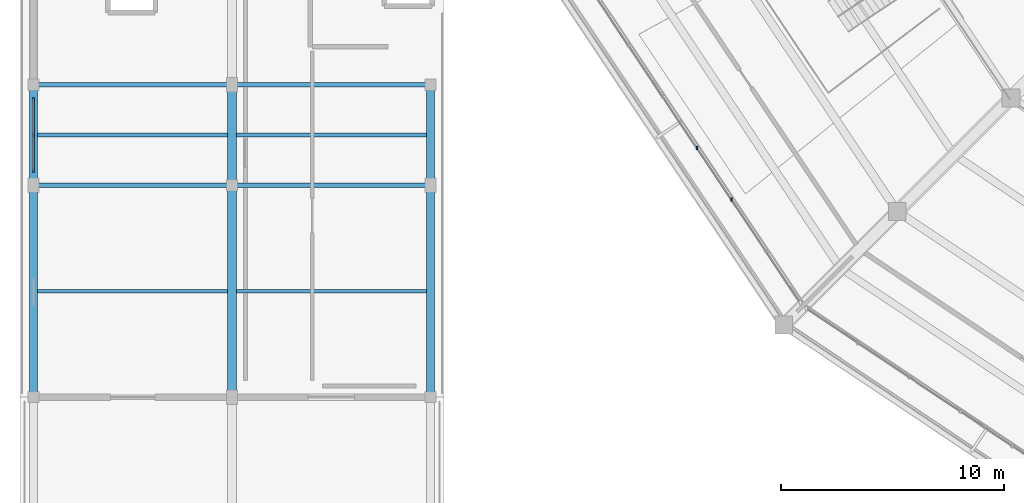
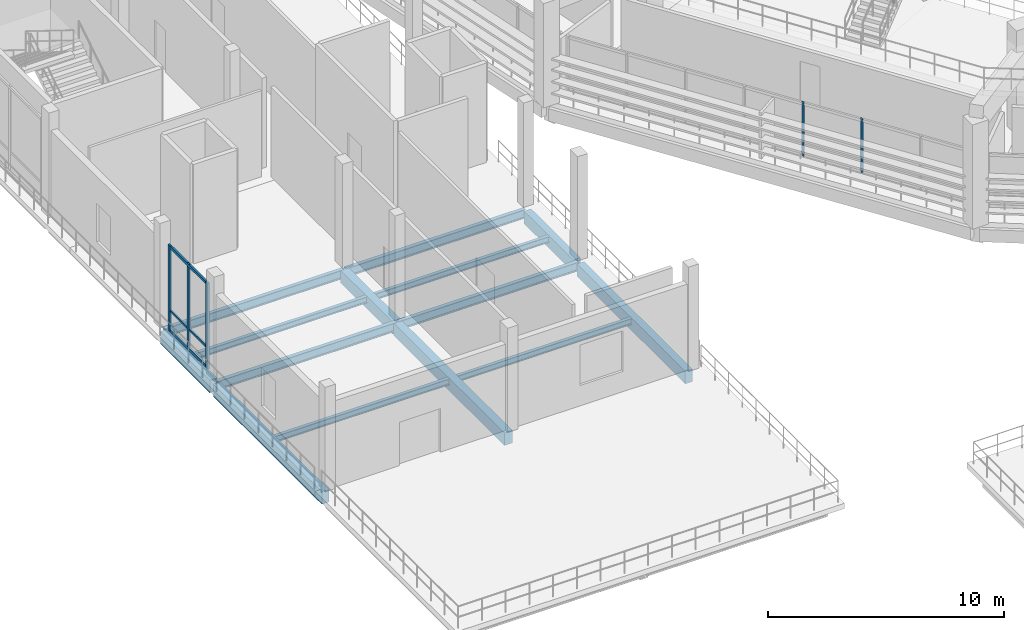
# One storey, part 7 of 96: 14 beams, 8 members, 2 elements without a shape of their own.
"""IFC4 building model written with IfcOpenShell, lengths in metres."""

from ifc_helpers import new_model, si_unit, direction, frame, origin, origin_2d, place, context, subcontext, project, spatial, rectangle, i_section, extrude, material, material_profile, profile_set, type_object, element, aggregate, save


model = new_model("IFC4")

# Units and contexts
model_context = context("Model", 3, precision=1e-05, world=origin(), true_north=direction((0.0, 1.0)))
body_context = subcontext(model_context, "Body", "Model", "MODEL_VIEW")
ifc_project = project(units=[si_unit("LENGTHUNIT", "METRE"), si_unit("AREAUNIT", "SQUARE_METRE"), si_unit("VOLUMEUNIT", "CUBIC_METRE"), si_unit("PLANEANGLEUNIT", "RADIAN"), si_unit("MASSUNIT", "GRAM", prefix="KILO")], contexts=[model_context])

# Site, building, storey
site_placement = place(None, origin())
site = spatial("IfcSite", under=ifc_project, at=site_placement, CompositionType="ELEMENT")
building_placement = place(site_placement, origin())
building = spatial("IfcBuilding", under=site, at=building_placement, Name="Candeia Ridge Stadium", CompositionType="ELEMENT")
storey_placement = place(building_placement, frame((0.0, 0.0, 21.60009765625)))
storey = spatial("IfcBuildingStorey", under=building, at=storey_placement, Name="L04", CompositionType="ELEMENT", Elevation=21.60009765625)

# Curtain wall, members
ifc_material_1 = material(Name="Aluminium Anodized Warm Bronze", Category="aluminium")
curtain_wall_type_1 = type_object("IfcCurtainWallType", Name="West Pavilion Hospitality Curtain Wall", PredefinedType="NOTDEFINED", material=ifc_material_1)
curtain_wall_1_placement = place(storey_placement, origin())
curtain_wall_1 = element("IfcCurtainWall", 1, at=curtain_wall_1_placement, inside=storey, type_object=curtain_wall_type_1, Name="Unitised curtain wall CW-WNG-L04-093", PredefinedType="NOTDEFINED")
ifc_material_profile_1 = material_profile(ifc_material_1, rectangle(XDim=0.090087890625, YDim=0.179931640625, at=origin_2d()), Name="CWM-90x180", Category="aluminium")
ifc_profile_set_1 = profile_set([ifc_material_profile_1], Name="Aluminium Anodized Warm Bronze")
member_type_1 = type_object("IfcMemberType", Name="Curtain Wall Primary Mullion 90x180", PredefinedType="MULLION", material=ifc_profile_set_1)
member_1_placement = place(storey_placement, frame((0.60009765625, 41.159912109375, 0.0), z_axis=(0.0, 0.0, 1.0), x_axis=(1.0, 0.0, 0.0)))
member_1 = element("IfcMember", 2, at=member_1_placement, type_object=member_type_1, Name="Curtain wall mullion CW-WNG-L04-093-M0", PredefinedType="MULLION", context=body_context, shape_type="SweptSolid", body=[
    extrude(rectangle(XDim=0.090087890625, YDim=0.179931640625, at=origin_2d()), origin(), (0.0, 0.0, 1.0), 4.46484375),
])
member_2_placement = place(storey_placement, frame((0.60009765625, 44.340087890625, 0.0), z_axis=(0.0, 0.0, 1.0), x_axis=(1.0, 0.0, 0.0)))
member_2 = element("IfcMember", 3, at=member_2_placement, type_object=member_type_1, Name="Curtain wall mullion CW-WNG-L04-093-M2", PredefinedType="MULLION", context=body_context, shape_type="SweptSolid", body=[
    extrude(rectangle(XDim=0.090087890625, YDim=0.179931640625, at=origin_2d()), origin(), (0.0, 0.0, 1.0), 4.46484375),
])

curtain_wall_type_2 = type_object("IfcCurtainWallType", Name="Concourse Recessed Unitised Curtain Wall", PredefinedType="NOTDEFINED", material=ifc_material_1)
curtain_wall_2_placement = place(storey_placement, origin())
curtain_wall_2 = element("IfcCurtainWall", 4, at=curtain_wall_2_placement, inside=storey, type_object=curtain_wall_type_2, Name="Unitised curtain wall CW-BWL-L04-15", PredefinedType="NOTDEFINED")
ifc_material_profile_2 = material_profile(ifc_material_1, rectangle(XDim=0.074951171875, YDim=0.14990234375, at=origin_2d()), Name="CWM-75x150", Category="aluminium")
ifc_profile_set_2 = profile_set([ifc_material_profile_2], Name="Aluminium Anodized Warm Bronze")
member_type_2 = type_object("IfcMemberType", Name="Curtain Wall Secondary Mullion 75x150", PredefinedType="MULLION", material=ifc_profile_set_2)
member_3_placement = place(storey_placement, frame((30.34521484375, 42.16357421875, 0.0), z_axis=(0.0, 0.0, 1.0), x_axis=(1.0, 0.0, 0.0)))
member_3 = element("IfcMember", 5, at=member_3_placement, type_object=member_type_2, Name="Curtain wall mullion CW-BWL-L04-15-M4", PredefinedType="MULLION", context=body_context, shape_type="SweptSolid", body=[
    extrude(rectangle(XDim=0.074951171875, YDim=0.14990234375, at=origin_2d()), origin(), (0.0, 0.0, 1.0), 2.772216796875),
])
member_4_placement = place(storey_placement, frame((31.889892578125, 39.851806640625, 0.0), z_axis=(0.0, 0.0, 1.0), x_axis=(1.0, 0.0, 0.0)))
member_4 = element("IfcMember", 6, at=member_4_placement, type_object=member_type_2, Name="Curtain wall mullion CW-BWL-L04-15-M5", PredefinedType="MULLION", context=body_context, shape_type="SweptSolid", body=[
    extrude(rectangle(XDim=0.074951171875, YDim=0.14990234375, at=origin_2d()), origin(), (0.0, 0.0, 1.0), 2.772216796875),
])
aggregate(curtain_wall_2, [member_3, member_4])

# Member
member_5_placement = place(storey_placement, frame((0.60009765625, 42.75, 0.0), z_axis=(0.0, 0.0, 1.0), x_axis=(1.0, 0.0, 0.0)))
member_5 = element("IfcMember", 7, at=member_5_placement, type_object=member_type_2, Name="Curtain wall mullion CW-WNG-L04-093-M1", PredefinedType="MULLION", context=body_context, shape_type="SweptSolid", body=[
    extrude(rectangle(XDim=0.074951171875, YDim=0.14990234375, at=origin_2d()), origin(), (0.0, 0.0, 1.0), 4.46484375),
])

ifc_material_profile_3 = material_profile(ifc_material_1, rectangle(XDim=0.074951171875, YDim=0.110107421875, at=origin_2d()), Name="CWT-75x110", Category="aluminium")
ifc_profile_set_3 = profile_set([ifc_material_profile_3], Name="Aluminium Anodized Warm Bronze")
member_type_3 = type_object("IfcMemberType", Name="Curtain Wall Secondary Transom 75x110", PredefinedType="USERDEFINED", material=ifc_profile_set_3)
member_6_placement = place(storey_placement, frame((0.60009765625, 41.159912109375, 1.099853515625), z_axis=(0.0, 1.0, 0.0), x_axis=(-1.0, 0.0, 0.0)))
member_6 = element("IfcMember", 8, at=member_6_placement, type_object=member_type_3, Name="Curtain wall transom CW-WNG-L04-093-T1", ObjectType="TRANSOM", PredefinedType="USERDEFINED", context=body_context, shape_type="SweptSolid", body=[
    extrude(rectangle(XDim=0.074951171875, YDim=0.110107421875, at=origin_2d()), origin(), (0.0, 0.0, 1.0), 3.18017578125),
])

ifc_material_profile_4 = material_profile(ifc_material_1, rectangle(XDim=0.090087890625, YDim=0.139892578125, at=origin_2d()), Name="CWT-90x140", Category="aluminium")
ifc_profile_set_4 = profile_set([ifc_material_profile_4], Name="Aluminium Anodized Warm Bronze")
member_type_4 = type_object("IfcMemberType", Name="Curtain Wall Transom 90x140", PredefinedType="USERDEFINED", material=ifc_profile_set_4)
member_7_placement = place(storey_placement, frame((0.60009765625, 41.159912109375, 0.06982421875), z_axis=(0.0, 1.0, 0.0), x_axis=(-1.0, 0.0, 0.0)))
member_7 = element("IfcMember", 9, at=member_7_placement, type_object=member_type_4, Name="Curtain wall transom CW-WNG-L04-093-T0", ObjectType="TRANSOM", PredefinedType="USERDEFINED", context=body_context, shape_type="SweptSolid", body=[
    extrude(rectangle(XDim=0.090087890625, YDim=0.139892578125, at=origin_2d()), origin(), (0.0, 0.0, 1.0), 3.18017578125),
])

member_8_placement = place(storey_placement, frame((0.60009765625, 41.159912109375, 4.39501953125), z_axis=(0.0, 1.0, 0.0), x_axis=(-1.0, 0.0, 0.0)))
member_8 = element("IfcMember", 10, at=member_8_placement, type_object=member_type_4, Name="Curtain wall transom CW-WNG-L04-093-T2", ObjectType="TRANSOM", PredefinedType="USERDEFINED", context=body_context, shape_type="SweptSolid", body=[
    extrude(rectangle(XDim=0.090087890625, YDim=0.139892578125, at=origin_2d()), origin(), (0.0, 0.0, 1.0), 3.18017578125),
])

aggregate(curtain_wall_1, [member_1, member_5, member_2, member_7, member_6, member_8])

# Beams
ifc_material_2 = material(Name="Steel ASTM A572 Grade 50", Category="steel")
ifc_material_profile_5 = material_profile(ifc_material_2, i_section(OverallWidth=0.1669921875, OverallDepth=0.31689453125, WebThickness=0.007568359375, FlangeThickness=0.01318359375, FilletRadius=0.011962890625, at=origin_2d()), Name="W310x52", Category="steel")
ifc_profile_set_5 = profile_set([ifc_material_profile_5], Name="Steel ASTM A572 Grade 50")
beam_type_1 = type_object("IfcBeamType", Name="Pavilion Secondary Joist W310x52", PredefinedType="JOIST", material=ifc_profile_set_5)
for number, where, z_axis, x_axis, name in (
    (11, (0.7744140625, 35.75, -0.418701171875), (1.0, 0.0, 0.0), (0.0, 1.0, 0.0), "Wing secondary joist BM-L04-1314"),
    (12, (0.7744140625, 42.75, -0.418701171875), (1.0, 0.0, 0.0), (0.0, 1.0, 0.0), "Wing secondary joist BM-L04-1316"),
    (13, (9.699462890625, 35.75, -0.418701171875), (1.0, 0.0, 0.0), (0.0, 1.0, 0.0), "Wing secondary joist BM-L04-1332"),
    (14, (9.699462890625, 42.75, -0.418701171875), (1.0, 0.0, 0.0), (0.0, 1.0, 0.0), "Wing secondary joist BM-L04-1334"),
):
    element("IfcBeam", number, at=place(storey_placement, frame(where, z_axis=z_axis, x_axis=x_axis)), inside=storey, type_object=beam_type_1, Name=name, PredefinedType="JOIST", context=body_context, shape_type="SweptSolid", body=[
        extrude(i_section(OverallWidth=0.1669921875, OverallDepth=0.31689453125, WebThickness=0.007568359375, FlangeThickness=0.01318359375, FilletRadius=0.011962890625, at=origin_2d()), origin(), (0.0, 0.0, 1.0), 8.526123046875),
    ])
ifc_material_profile_6 = material_profile(ifc_material_2, i_section(OverallWidth=0.18994140625, OverallDepth=0.45703125, WebThickness=0.009033203125, FlangeThickness=0.014404296875, FilletRadius=0.012939453125, at=origin_2d()), Name="W460x74", Category="steel")
ifc_profile_set_6 = profile_set([ifc_material_profile_6], Name="Steel ASTM A572 Grade 50")
beam_type_2 = type_object("IfcBeamType", Name="Pavilion Steel Girder W460x74", PredefinedType="BEAM", material=ifc_profile_set_6)
for number, where, z_axis, x_axis, name in (
    (15, (0.64990234375, 40.5, -0.488525390625), (1.0, 0.0, 0.0), (0.0, 1.0, 0.0), "Structural girder BM-L04-1315"),
    (16, (0.64990234375, 45.0, -0.488525390625), (1.0, 0.0, 0.0), (0.0, 1.0, 0.0), "Structural girder BM-L04-1317"),
    (17, (9.550048828125, 40.5, -0.488525390625), (1.0, 0.0, 0.0), (0.0, 1.0, 0.0), "Structural girder BM-L04-1333"),
    (18, (9.550048828125, 45.0, -0.488525390625), (1.0, 0.0, 0.0), (0.0, 1.0, 0.0), "Structural girder BM-L04-1335"),
):
    element("IfcBeam", number, at=place(storey_placement, frame(where, z_axis=z_axis, x_axis=x_axis)), inside=storey, type_object=beam_type_2, Name=name, PredefinedType="BEAM", context=body_context, shape_type="SweptSolid", body=[
        extrude(i_section(OverallWidth=0.18994140625, OverallDepth=0.45703125, WebThickness=0.009033203125, FlangeThickness=0.014404296875, FilletRadius=0.012939453125, at=origin_2d()), origin(), (0.0, 0.0, 1.0), 8.800048828125),
    ])
ifc_material_3 = material(Name="Concrete C40/50", Category="concrete")
ifc_material_profile_7 = material_profile(ifc_material_3, rectangle(XDim=0.35009765625, YDim=0.64990234375, at=origin_2d()), Name="RC350x650", Category="concrete")
ifc_profile_set_7 = profile_set([ifc_material_profile_7], Name="Concrete C40/50")
beam_type_3 = type_object("IfcBeamType", Name="Spandrel Beam RC350x650", PredefinedType="SPANDREL", material=ifc_profile_set_7)
beam_1_placement = place(storey_placement, frame((0.60009765625, 31.159912109375, -0.59521484375), z_axis=(0.0, 1.0, 0.0), x_axis=(-1.0, 0.0, 0.0)))
element("IfcBeam", 19, at=beam_1_placement, inside=storey, type_object=beam_type_3, Name="Structural girder BM-L04-1274", PredefinedType="SPANDREL", context=body_context, shape_type="SweptSolid", body=[
    extrude(rectangle(XDim=0.35009765625, YDim=0.64990234375, at=origin_2d()), origin(), (0.0, 0.0, 1.0), 9.18017578125),
])
beam_2_placement = place(storey_placement, frame((0.60009765625, 40.659912109375, -0.585205078125), z_axis=(0.0, 1.0, 0.0), x_axis=(-1.0, 0.0, 0.0)))
element("IfcBeam", 20, at=beam_2_placement, inside=storey, type_object=beam_type_3, Name="Structural girder BM-L04-1275", PredefinedType="SPANDREL", context=body_context, shape_type="SweptSolid", body=[
    extrude(rectangle(XDim=0.35009765625, YDim=0.64990234375, at=origin_2d()), origin(), (0.0, 0.0, 1.0), 4.18017578125),
])
beam_3_placement = place(storey_placement, frame((18.39990234375, 31.159912109375, -0.59521484375), z_axis=(0.0, 1.0, 0.0), x_axis=(-1.0, 0.0, 0.0)))
element("IfcBeam", 21, at=beam_3_placement, inside=storey, type_object=beam_type_3, Name="Structural girder BM-L04-1300", PredefinedType="SPANDREL", context=body_context, shape_type="SweptSolid", body=[
    extrude(rectangle(XDim=0.35009765625, YDim=0.64990234375, at=origin_2d()), origin(), (0.0, 0.0, 1.0), 9.18017578125),
])
beam_4_placement = place(storey_placement, frame((18.39990234375, 40.659912109375, -0.585205078125), z_axis=(0.0, 1.0, 0.0), x_axis=(-1.0, 0.0, 0.0)))
element("IfcBeam", 22, at=beam_4_placement, inside=storey, type_object=beam_type_3, Name="Structural girder BM-L04-1301", PredefinedType="SPANDREL", context=body_context, shape_type="SweptSolid", body=[
    extrude(rectangle(XDim=0.35009765625, YDim=0.64990234375, at=origin_2d()), origin(), (0.0, 0.0, 1.0), 4.18017578125),
])
ifc_material_profile_8 = material_profile(ifc_material_3, rectangle(XDim=0.39990234375, YDim=0.64990234375, at=origin_2d()), Name="RC400x650", Category="concrete")
ifc_profile_set_8 = profile_set([ifc_material_profile_8], Name="Concrete C40/50")
beam_type_4 = type_object("IfcBeamType", Name="Wing Primary Girder RC400x650", PredefinedType="BEAM", material=ifc_profile_set_8)
beam_5_placement = place(storey_placement, frame((9.5, 31.050048828125, -0.59521484375), z_axis=(0.0, 1.0, 0.0), x_axis=(-1.0, 0.0, 0.0)))
element("IfcBeam", 23, at=beam_5_placement, inside=storey, type_object=beam_type_4, Name="Structural girder BM-L04-1288", PredefinedType="BEAM", context=body_context, shape_type="SweptSolid", body=[
    extrude(rectangle(XDim=0.39990234375, YDim=0.64990234375, at=origin_2d()), origin(), (0.0, 0.0, 1.0), 9.39990234375),
])
beam_6_placement = place(storey_placement, frame((9.5, 40.550048828125, -0.585205078125), z_axis=(0.0, 1.0, 0.0), x_axis=(-1.0, 0.0, 0.0)))
element("IfcBeam", 24, at=beam_6_placement, inside=storey, type_object=beam_type_4, Name="Structural girder BM-L04-1289", PredefinedType="BEAM", context=body_context, shape_type="SweptSolid", body=[
    extrude(rectangle(XDim=0.39990234375, YDim=0.64990234375, at=origin_2d()), origin(), (0.0, 0.0, 1.0), 4.39990234375),
])

save(model, "model.ifc")
